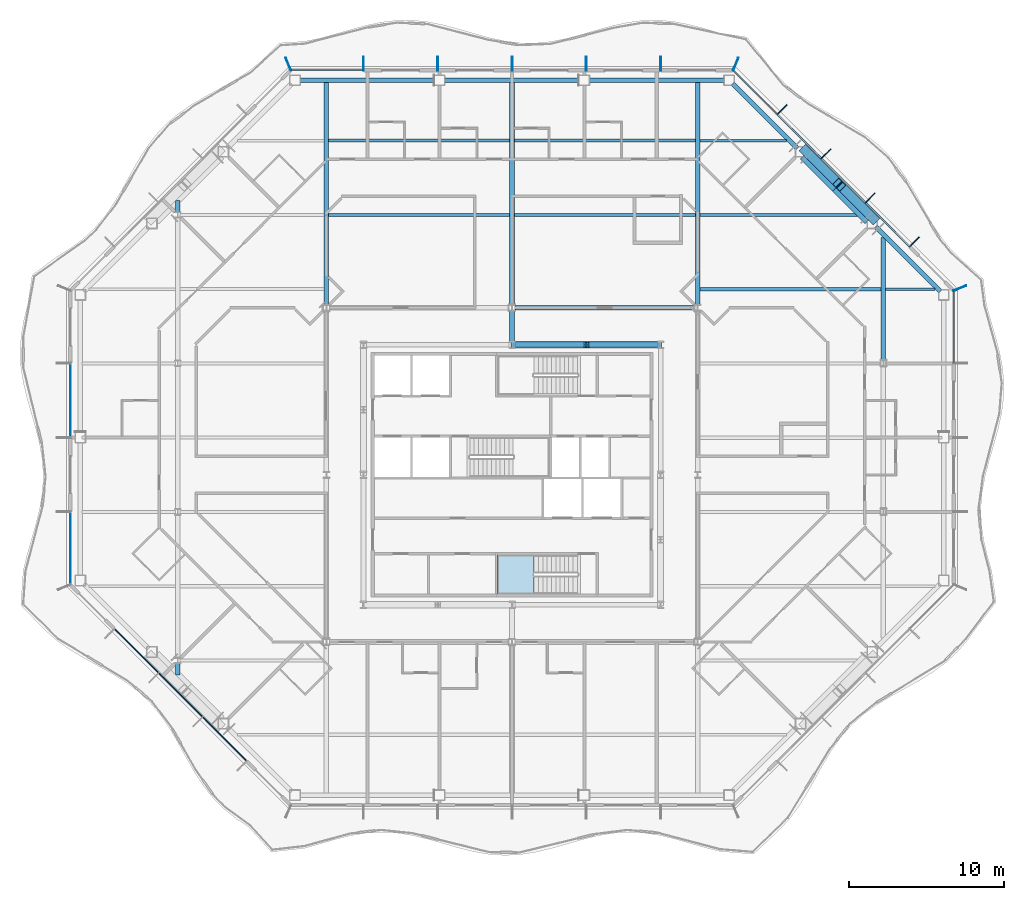
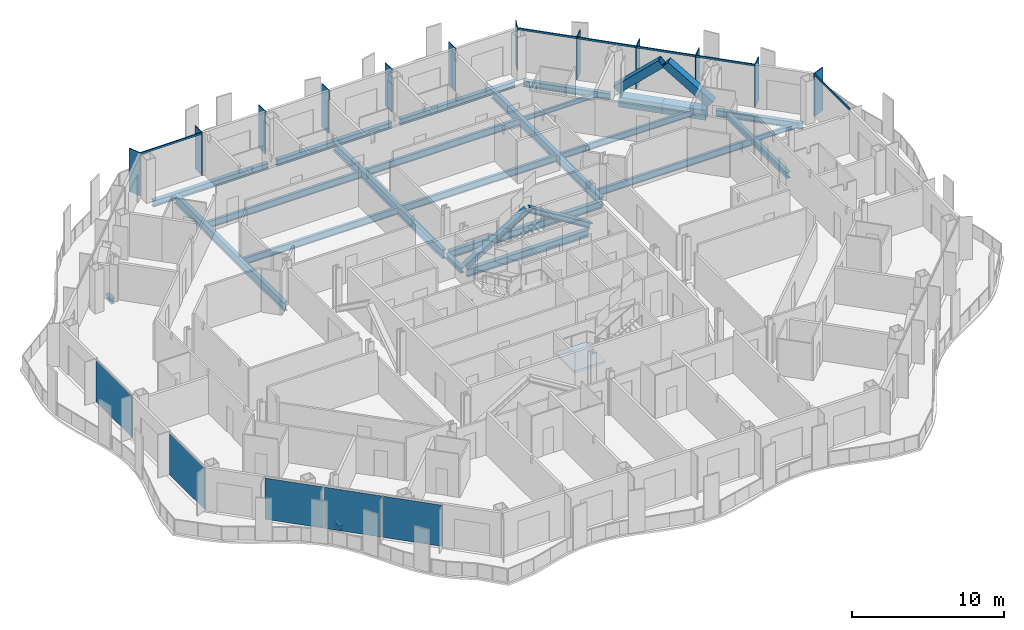
# One storey, part 5 of 21: 24 beams, 22 members, 5 plates, 1 slab, 7 elements without a shape of their own.
"""IFC4 building model written with IfcOpenShell, lengths in metres."""

from ifc_helpers import new_model, si_unit, direction, frame, origin, origin_2d, place, context, subcontext, project, spatial, polyline, rectangle, hollow_rectangle, i_section, outline, extrude, material, layer, layer_set, material_profile, profile_set, type_object, element, aggregate, save


model = new_model("IFC4")

# Units and contexts
model_context = context("Model", 3, precision=1e-05, world=origin(), true_north=direction((0.0, 1.0)))
body_context = subcontext(model_context, "Body", "Model", "MODEL_VIEW")
ifc_project = project(units=[si_unit("LENGTHUNIT", "METRE"), si_unit("AREAUNIT", "SQUARE_METRE"), si_unit("VOLUMEUNIT", "CUBIC_METRE"), si_unit("PLANEANGLEUNIT", "RADIAN"), si_unit("MASSUNIT", "GRAM", prefix="KILO")], contexts=[model_context])

# Site, building, storey
site_placement = place(None, origin())
site = spatial("IfcSite", under=ifc_project, at=site_placement, CompositionType="ELEMENT")
building_placement = place(site_placement, origin())
building = spatial("IfcBuilding", under=site, at=building_placement, Name="Cairn Pilgrim Tower", CompositionType="ELEMENT")
storey_placement = place(building_placement, frame((0.0, 0.0, 143.39990234375)))
storey = spatial("IfcBuildingStorey", under=building, at=storey_placement, Name="L35", CompositionType="ELEMENT", Elevation=143.39990234375)

# Members
ifc_material_1 = material(Name="Structural steel S460M", Category="steel")
ifc_material_profile_1 = material_profile(ifc_material_1, hollow_rectangle(XDim=0.60009765625, YDim=0.60009765625, WallThickness=0.034912109375, at=origin_2d()), Name="BOX 600x600x35")
ifc_profile_set_1 = profile_set([ifc_material_profile_1], Name="Structural steel S460M")
member_type_1 = type_object("IfcMemberType", Name="BOX 600x600x35 BRACE", PredefinedType="BRACE", material=ifc_profile_set_1)
for number, where, z_axis, x_axis, name in (
    (1, (30.613525390625, 18.888427734375, 0.150146484375), (-0.535551349337, 0.535551349337, 0.652969757681), (-0.707106781187, -0.707106781187, 0.0), "XB-NE2-NE3-1"),
    (2, (26.08837890625, 23.41357421875, 0.150146484375), (0.535594490476, -0.535533998665, 0.652948602913), (0.707066846316, 0.707146713802, 0.0), "XB-NE2-NE3-2"),
):
    element("IfcMember", number, at=place(storey_placement, frame(where, z_axis=z_axis, x_axis=x_axis)), inside=storey, type_object=member_type_1, Name=name, PredefinedType="BRACE", context=body_context, shape_type="SweptSolid", body=[
        extrude(hollow_rectangle(XDim=0.60009765625, YDim=0.60009765625, WallThickness=0.034912109375, at=origin_2d()), origin(), (0.0, 0.0, 1.0), 4.035888671875),
    ])

# Beams
ifc_material_2 = material(Name="Structural steel S355J2", Category="steel")
ifc_material_profile_2 = material_profile(ifc_material_2, hollow_rectangle(XDim=0.699951171875, YDim=0.800048828125, WallThickness=0.0400390625, at=origin_2d()), Name="BOX 700x800x40")
ifc_profile_set_2 = profile_set([ifc_material_profile_2], Name="Structural steel S355J2")
beam_type_1 = type_object("IfcBeamType", Name="BOX 700x800x40 RING GIRDER", PredefinedType="SPANDREL", material=ifc_profile_set_2)
for number, where, z_axis, x_axis, name in (
    (3, (30.2529296875, 18.874267578125, -0.5498046875), (-0.707106781187, 0.707106781187, 0.0), (-0.707106781187, -0.707106781187, 0.0), "RG2-NE2-NE3-1"),
    (4, (28.16357421875, 20.963623046875, -0.5498046875), (-0.707106781187, 0.707106781187, 0.0), (-0.707106781187, -0.707106781187, 0.0), "RG2-NE2-NE3-2"),
):
    element("IfcBeam", number, at=place(storey_placement, frame(where, z_axis=z_axis, x_axis=x_axis)), inside=storey, type_object=beam_type_1, Name=name, PredefinedType="SPANDREL", context=body_context, shape_type="SweptSolid", body=[
        extrude(hollow_rectangle(XDim=0.699951171875, YDim=0.800048828125, WallThickness=0.0400390625, at=origin_2d()), origin(), (0.0, 0.0, 1.0), 2.954833984375),
    ])

# Curtain wall, members
ifc_material_3 = material(Name="Aluminium alloy 6063-T6 bronze anodised with Bronze tinted laminated low-E glass 8+16+8.8", Category="aluminium")
curtain_wall_type_1 = type_object("IfcCurtainWallType", Name="CHAMFER CORNER CURTAIN WALL", PredefinedType="NOTDEFINED", material=ifc_material_3)
curtain_wall_1_placement = place(storey_placement, origin())
curtain_wall_1 = element("IfcCurtainWall", 5, at=curtain_wall_1_placement, inside=storey, type_object=curtain_wall_type_1, Name="Chamfer Corner Curtain Wall NE", PredefinedType="NOTDEFINED")
ifc_material_4 = material(Name="Aluminium alloy 6063-T6 bronze anodised", Category="aluminium")
ifc_material_profile_3 = material_profile(ifc_material_4, rectangle(XDim=0.89990234375, YDim=0.06005859375, at=origin_2d()), Name="FIN MULLION 60x900 BRONZE")
ifc_profile_set_3 = profile_set([ifc_material_profile_3], Name="Aluminium alloy 6063-T6 bronze anodised")
member_type_2 = type_object("IfcMemberType", Name="FIN MULLION 60x900 BRONZE", PredefinedType="MULLION", material=ifc_profile_set_3)
member_1_placement = place(storey_placement, frame((36.137939453125, 14.457275390625, 0.0), z_axis=(0.0, 0.0, 1.0), x_axis=(0.923879532511, 0.382683432365, 0.0)))
member_1 = element("IfcMember", 6, at=member_1_placement, type_object=member_type_2, Name="Fin mullion NE1", PredefinedType="MULLION", context=body_context, shape_type="SweptSolid", body=[
    extrude(rectangle(XDim=0.89990234375, YDim=0.06005859375, at=origin_2d()), origin(), (0.0, 0.0, 1.0), 3.4501953125),
])
member_2_placement = place(storey_placement, frame((33.1962890625, 17.444091796875, 0.0), z_axis=(0.0, 0.0, 1.0), x_axis=(0.707106781187, 0.707106781187, 0.0)))
member_2 = element("IfcMember", 7, at=member_2_placement, type_object=member_type_2, Name="Fin mullion NE2", PredefinedType="MULLION", context=body_context, shape_type="SweptSolid", body=[
    extrude(rectangle(XDim=0.89990234375, YDim=0.06005859375, at=origin_2d()), origin(), (0.0, 0.0, 1.0), 3.4501953125),
])
member_3_placement = place(storey_placement, frame((30.345458984375, 20.294921875, 0.0), z_axis=(0.0, 0.0, 1.0), x_axis=(0.707106781187, 0.707106781187, 0.0)))
member_3 = element("IfcMember", 8, at=member_3_placement, type_object=member_type_2, Name="Fin mullion NE3", PredefinedType="MULLION", context=body_context, shape_type="SweptSolid", body=[
    extrude(rectangle(XDim=0.89990234375, YDim=0.06005859375, at=origin_2d()), origin(), (0.0, 0.0, 1.0), 3.4501953125),
])
member_4_placement = place(storey_placement, frame((27.494873046875, 23.1455078125, 0.0), z_axis=(0.0, 0.0, 1.0), x_axis=(0.707106781187, 0.707106781187, 0.0)))
member_4 = element("IfcMember", 9, at=member_4_placement, type_object=member_type_2, Name="Fin mullion NE4", PredefinedType="MULLION", context=body_context, shape_type="SweptSolid", body=[
    extrude(rectangle(XDim=0.89990234375, YDim=0.06005859375, at=origin_2d()), origin(), (0.0, 0.0, 1.0), 3.4501953125),
])
member_5_placement = place(storey_placement, frame((24.64404296875, 25.996337890625, 0.0), z_axis=(0.0, 0.0, 1.0), x_axis=(0.707106781187, 0.707106781187, 0.0)))
member_5 = element("IfcMember", 10, at=member_5_placement, type_object=member_type_2, Name="Fin mullion NE5", PredefinedType="MULLION", context=body_context, shape_type="SweptSolid", body=[
    extrude(rectangle(XDim=0.89990234375, YDim=0.06005859375, at=origin_2d()), origin(), (0.0, 0.0, 1.0), 3.4501953125),
])

curtain_wall_type_2 = type_object("IfcCurtainWallType", Name="TOWER STICK CURTAIN WALL NS", PredefinedType="NOTDEFINED", material=ifc_material_3)
curtain_wall_2_placement = place(storey_placement, origin())
curtain_wall_2 = element("IfcCurtainWall", 11, at=curtain_wall_2_placement, inside=storey, type_object=curtain_wall_type_2, Name="Tower Stick Curtain Wall Ns N", PredefinedType="NOTDEFINED")
member_6_placement = place(storey_placement, frame((21.6572265625, 28.93798828125, 0.0), z_axis=(0.0, 0.0, 1.0), x_axis=(0.382683432365, 0.923879532511, 0.0)))
member_6 = element("IfcMember", 12, at=member_6_placement, type_object=member_type_2, Name="Fin mullion N1", PredefinedType="MULLION", context=body_context, shape_type="SweptSolid", body=[
    extrude(rectangle(XDim=0.89990234375, YDim=0.06005859375, at=origin_2d()), origin(), (0.0, 0.0, 1.0), 3.4501953125),
])
member_7_placement = place(storey_placement, frame((16.800048828125, 28.969970703125, 0.0), z_axis=(0.0, 0.0, 1.0), x_axis=(0.0, 1.0, 0.0)))
member_7 = element("IfcMember", 13, at=member_7_placement, type_object=member_type_2, Name="Fin mullion N2", PredefinedType="MULLION", context=body_context, shape_type="SweptSolid", body=[
    extrude(rectangle(XDim=0.89990234375, YDim=0.06005859375, at=origin_2d()), origin(), (0.0, 0.0, 1.0), 3.4501953125),
])
member_8_placement = place(storey_placement, frame((12.0, 28.969970703125, 0.0), z_axis=(0.0, 0.0, 1.0), x_axis=(0.0, 1.0, 0.0)))
member_8 = element("IfcMember", 14, at=member_8_placement, type_object=member_type_2, Name="Fin mullion N3", PredefinedType="MULLION", context=body_context, shape_type="SweptSolid", body=[
    extrude(rectangle(XDim=0.89990234375, YDim=0.06005859375, at=origin_2d()), origin(), (0.0, 0.0, 1.0), 3.4501953125),
])
member_9_placement = place(storey_placement, frame((7.199951171875, 28.969970703125, 0.0), z_axis=(0.0, 0.0, 1.0), x_axis=(0.0, 1.0, 0.0)))
member_9 = element("IfcMember", 15, at=member_9_placement, type_object=member_type_2, Name="Fin mullion N4", PredefinedType="MULLION", context=body_context, shape_type="SweptSolid", body=[
    extrude(rectangle(XDim=0.89990234375, YDim=0.06005859375, at=origin_2d()), origin(), (0.0, 0.0, 1.0), 3.4501953125),
])
member_10_placement = place(storey_placement, frame((2.39990234375, 28.969970703125, 0.0), z_axis=(0.0, 0.0, 1.0), x_axis=(0.0, 1.0, 0.0)))
member_10 = element("IfcMember", 16, at=member_10_placement, type_object=member_type_2, Name="Fin mullion N5", PredefinedType="MULLION", context=body_context, shape_type="SweptSolid", body=[
    extrude(rectangle(XDim=0.89990234375, YDim=0.06005859375, at=origin_2d()), origin(), (0.0, 0.0, 1.0), 3.4501953125),
])
member_11_placement = place(storey_placement, frame((-2.39990234375, 28.969970703125, 0.0), z_axis=(0.0, 0.0, 1.0), x_axis=(0.0, 1.0, 0.0)))
member_11 = element("IfcMember", 17, at=member_11_placement, type_object=member_type_2, Name="Fin mullion N6", PredefinedType="MULLION", context=body_context, shape_type="SweptSolid", body=[
    extrude(rectangle(XDim=0.89990234375, YDim=0.06005859375, at=origin_2d()), origin(), (0.0, 0.0, 1.0), 3.4501953125),
])

# Curtain wall, member
curtain_wall_3_placement = place(storey_placement, origin())
curtain_wall_3 = element("IfcCurtainWall", 18, at=curtain_wall_3_placement, inside=storey, type_object=curtain_wall_type_1, Name="Chamfer Corner Curtain Wall NW", PredefinedType="NOTDEFINED")
member_12_placement = place(storey_placement, frame((-7.257080078125, 28.93798828125, 0.0), z_axis=(0.0, 0.0, 1.0), x_axis=(-0.382683432365, 0.923879532511, 0.0)))
member_12 = element("IfcMember", 19, at=member_12_placement, type_object=member_type_2, Name="Fin mullion NW1", PredefinedType="MULLION", context=body_context, shape_type="SweptSolid", body=[
    extrude(rectangle(XDim=0.89990234375, YDim=0.06005859375, at=origin_2d()), origin(), (0.0, 0.0, 1.0), 3.4501953125),
])
aggregate(curtain_wall_3, [member_12])

# Members
ifc_material_profile_4 = material_profile(ifc_material_1, i_section(OverallWidth=0.408935546875, OverallDepth=0.425048828125, WebThickness=0.03271484375, FlangeThickness=0.052490234375, FilletRadius=0.014892578125, at=origin_2d()), Name="HD 400x421")
ifc_profile_set_4 = profile_set([ifc_material_profile_4], Name="Structural steel S460M")
member_type_3 = type_object("IfcMemberType", Name="HD 400x421 BRACE", PredefinedType="BRACE", material=ifc_profile_set_4)
for number, where, z_axis, x_axis, name in (
    (20, (16.757568359375, 10.800048828125, 0.10009765625), (-0.851063308605, 0.0, 0.525063086444), (0.0, -1.0, 0.0), "KB-3A"),
    (21, (7.242431640625, 10.800048828125, 0.10009765625), (0.851063308605, 0.0, 0.525063086444), (0.0, 1.0, 0.0), "KB-3B"),
):
    element("IfcMember", number, at=place(storey_placement, frame(where, z_axis=z_axis, x_axis=x_axis)), inside=storey, type_object=member_type_3, Name=name, PredefinedType="BRACE", context=body_context, shape_type="SweptSolid", body=[
        extrude(i_section(OverallWidth=0.408935546875, OverallDepth=0.425048828125, WebThickness=0.03271484375, FlangeThickness=0.052490234375, FilletRadius=0.014892578125, at=origin_2d()), origin(), (0.0, 0.0, 1.0), 5.527587890625),
    ])

# Beams
ifc_material_profile_5 = material_profile(ifc_material_2, i_section(OverallWidth=0.300048828125, OverallDepth=0.39990234375, WebThickness=0.013427734375, FlangeThickness=0.02392578125, FilletRadius=0.027099609375, at=origin_2d()), Name="HEB 400")
ifc_profile_set_5 = profile_set([ifc_material_profile_5], Name="Structural steel S355J2")
beam_type_2 = type_object("IfcBeamType", Name="HEB 400 GIRDER", PredefinedType="BEAM", material=ifc_profile_set_5)
for number, where, z_axis, x_axis, name in (
    (22, (-14.39990234375, -10.545166015625, -0.349853515625), (0.0, 1.0, 0.0), (-1.0, 0.0, 0.0), "PG1-E1"),
    (23, (-14.39990234375, 19.3994140625, -0.349853515625), (0.0, 1.0, 0.0), (-1.0, 0.0, 0.0), "PG1-E2"),
):
    element("IfcBeam", number, at=place(storey_placement, frame(where, z_axis=z_axis, x_axis=x_axis)), inside=storey, type_object=beam_type_2, Name=name, PredefinedType="BEAM", context=body_context, shape_type="SweptSolid", body=[
        extrude(i_section(OverallWidth=0.300048828125, OverallDepth=0.39990234375, WebThickness=0.013427734375, FlangeThickness=0.02392578125, FilletRadius=0.027099609375, at=origin_2d()), origin(), (0.0, 0.0, 1.0), 0.74560546875),
    ])
beam_1_placement = place(storey_placement, frame((7.199951171875, 11.011962890625, -0.349853515625), z_axis=(0.0, 1.0, 0.0), x_axis=(-1.0, 0.0, 0.0)))
element("IfcBeam", 24, at=beam_1_placement, inside=storey, type_object=beam_type_2, Name="PG3-E2", PredefinedType="BEAM", context=body_context, shape_type="SweptSolid", body=[
    extrude(i_section(OverallWidth=0.300048828125, OverallDepth=0.39990234375, WebThickness=0.013427734375, FlangeThickness=0.02392578125, FilletRadius=0.027099609375, at=origin_2d()), origin(), (0.0, 0.0, 1.0), 1.983642578125),
])
ifc_material_profile_6 = material_profile(ifc_material_2, i_section(OverallWidth=0.300048828125, OverallDepth=0.5, WebThickness=0.014404296875, FlangeThickness=0.028076171875, FilletRadius=0.027099609375, at=origin_2d()), Name="HEB 500")
ifc_profile_set_6 = profile_set([ifc_material_profile_6], Name="Structural steel S355J2")
beam_type_3 = type_object("IfcBeamType", Name="HEB 500 GIRDER", PredefinedType="BEAM", material=ifc_profile_set_6)
beam_2_placement = place(storey_placement, frame((31.199951171875, 9.804443359375, -0.39990234375), z_axis=(0.0, 1.0, 0.0), x_axis=(-1.0, 0.0, 0.0)))
element("IfcBeam", 25, at=beam_2_placement, inside=storey, type_object=beam_type_3, Name="PG5-3", PredefinedType="BEAM", context=body_context, shape_type="SweptSolid", body=[
    extrude(i_section(OverallWidth=0.300048828125, OverallDepth=0.5, WebThickness=0.014404296875, FlangeThickness=0.028076171875, FilletRadius=0.027099609375, at=origin_2d()), origin(), (0.0, 0.0, 1.0), 7.940673828125),
])
ifc_material_profile_7 = material_profile(ifc_material_2, i_section(OverallWidth=0.300048828125, OverallDepth=0.5, WebThickness=0.014404296875, FlangeThickness=0.028076171875, FilletRadius=0.027099609375, at=origin_2d()), Name="HEB 500")
ifc_profile_set_7 = profile_set([ifc_material_profile_7], Name="Structural steel S355J2")
beam_type_4 = type_object("IfcBeamType", Name="HEB 500 RING GIRDER", PredefinedType="SPANDREL", material=ifc_profile_set_7)
for number, where, z_axis, x_axis, name in (
    (26, (34.877197265625, 14.25, -0.39990234375), (-0.707106781187, 0.707106781187, 0.0), (-0.707106781187, -0.707106781187, 0.0), "RG2-NE1-NE2"),
    (27, (25.628662109375, 23.49853515625, -0.39990234375), (-0.707106781187, 0.707106781187, 0.0), (-0.707106781187, -0.707106781187, 0.0), "RG2-NE3-N1"),
):
    element("IfcBeam", number, at=place(storey_placement, frame(where, z_axis=z_axis, x_axis=x_axis)), inside=storey, type_object=beam_type_4, Name=name, PredefinedType="SPANDREL", context=body_context, shape_type="SweptSolid", body=[
        extrude(i_section(OverallWidth=0.300048828125, OverallDepth=0.5, WebThickness=0.014404296875, FlangeThickness=0.028076171875, FilletRadius=0.027099609375, at=origin_2d()), origin(), (0.0, 0.0, 1.0), 5.90966796875),
    ])
for number, where, z_axis, x_axis, name in (
    (28, (20.912109375, 27.89990234375, -0.39990234375), (-1.0, 0.0, 0.0), (0.0, -1.0, 0.0), "RG2-N1-N2"),
    (29, (11.560791015625, 27.89990234375, -0.39990234375), (-1.0, 0.0, 0.0), (0.0, -1.0, 0.0), "RG2-N2-N3"),
    (30, (2.209228515625, 27.89990234375, -0.39990234375), (-1.0, 0.0, 0.0), (0.0, -1.0, 0.0), "RG2-N3-NW1"),
):
    element("IfcBeam", number, at=place(storey_placement, frame(where, z_axis=z_axis, x_axis=x_axis)), inside=storey, type_object=beam_type_4, Name=name, PredefinedType="SPANDREL", context=body_context, shape_type="SweptSolid", body=[
        extrude(i_section(OverallWidth=0.300048828125, OverallDepth=0.5, WebThickness=0.014404296875, FlangeThickness=0.028076171875, FilletRadius=0.027099609375, at=origin_2d()), origin(), (0.0, 0.0, 1.0), 8.721435546875),
    ])
ifc_material_profile_8 = material_profile(ifc_material_2, i_section(OverallWidth=0.300048828125, OverallDepth=0.60009765625, WebThickness=0.015380859375, FlangeThickness=0.030029296875, FilletRadius=0.027099609375, at=origin_2d()), Name="HEB 600")
ifc_profile_set_8 = profile_set([ifc_material_profile_8], Name="Structural steel S355J2")
beam_type_5 = type_object("IfcBeamType", Name="HEB 600 CORE BEAM", PredefinedType="BEAM", material=ifc_profile_set_8)
beam_3_placement = place(storey_placement, frame((16.609130859375, 10.800048828125, -0.449951171875), z_axis=(-1.0, 0.0, 0.0), x_axis=(0.0, -1.0, 0.0)))
element("IfcBeam", 31, at=beam_3_placement, inside=storey, type_object=beam_type_5, Name="CB-5", PredefinedType="BEAM", context=body_context, shape_type="SweptSolid", body=[
    extrude(i_section(OverallWidth=0.300048828125, OverallDepth=0.60009765625, WebThickness=0.015380859375, FlangeThickness=0.030029296875, FilletRadius=0.027099609375, at=origin_2d()), origin(), (0.0, 0.0, 1.0), 9.21826171875),
])
ifc_material_profile_9 = material_profile(ifc_material_2, i_section(OverallWidth=0.300048828125, OverallDepth=0.60009765625, WebThickness=0.015380859375, FlangeThickness=0.030029296875, FilletRadius=0.027099609375, at=origin_2d()), Name="HEB 600")
ifc_profile_set_9 = profile_set([ifc_material_profile_9], Name="Structural steel S355J2")
beam_type_6 = type_object("IfcBeamType", Name="HEB 600 INNER GIRDER", PredefinedType="BEAM", material=ifc_profile_set_9)
beam_4_placement = place(storey_placement, frame((7.404541015625, 13.199951171875, -0.449951171875), z_axis=(1.0, 0.0, 0.0), x_axis=(0.0, 1.0, 0.0)))
element("IfcBeam", 32, at=beam_4_placement, inside=storey, type_object=beam_type_6, Name="IG2-2", PredefinedType="BEAM", context=body_context, shape_type="SweptSolid", body=[
    extrude(i_section(OverallWidth=0.300048828125, OverallDepth=0.60009765625, WebThickness=0.015380859375, FlangeThickness=0.030029296875, FilletRadius=0.027099609375, at=origin_2d()), origin(), (0.0, 0.0, 1.0), 11.591064453125),
])
ifc_material_profile_10 = material_profile(ifc_material_2, i_section(OverallWidth=0.300048828125, OverallDepth=0.699951171875, WebThickness=0.01708984375, FlangeThickness=0.031982421875, FilletRadius=0.027099609375, at=origin_2d()), Name="HEB 700")
ifc_profile_set_10 = profile_set([ifc_material_profile_10], Name="Structural steel S355J2")
beam_type_7 = type_object("IfcBeamType", Name="HEB 700 GIRDER", PredefinedType="BEAM", material=ifc_profile_set_10)
for number, where, z_axis, x_axis, name in (
    (33, (-4.800048828125, 13.404541015625, -0.5), (0.0, 1.0, 0.0), (-1.0, 0.0, 0.0), "PG2-4"),
    (34, (7.199951171875, 13.404541015625, -0.5), (0.0, 1.0, 0.0), (-1.0, 0.0, 0.0), "PG3-2"),
    (35, (19.199951171875, 13.404541015625, -0.5), (0.0, 1.0, 0.0), (-1.0, 0.0, 0.0), "PG4-4"),
):
    element("IfcBeam", number, at=place(storey_placement, frame(where, z_axis=z_axis, x_axis=x_axis)), inside=storey, type_object=beam_type_7, Name=name, PredefinedType="BEAM", context=body_context, shape_type="SweptSolid", body=[
        extrude(i_section(OverallWidth=0.300048828125, OverallDepth=0.699951171875, WebThickness=0.01708984375, FlangeThickness=0.031982421875, FilletRadius=0.027099609375, at=origin_2d()), origin(), (0.0, 0.0, 1.0), 14.37548828125),
    ])
ifc_material_profile_11 = material_profile(ifc_material_2, i_section(OverallWidth=0.169921875, OverallDepth=0.360107421875, WebThickness=0.008056640625, FlangeThickness=0.0126953125, FilletRadius=0.01806640625, at=origin_2d()), Name="IPE 360")
ifc_profile_set_11 = profile_set([ifc_material_profile_11], Name="Structural steel S355J2")
beam_type_8 = type_object("IfcBeamType", Name="IPE 360 SECONDARY BEAM", PredefinedType="JOIST", material=ifc_profile_set_11)
beam_5_placement = place(storey_placement, frame((31.35009765625, 14.39990234375, -0.329833984375), z_axis=(1.0, 0.0, 0.0), x_axis=(0.0, 1.0, 0.0)))
element("IfcBeam", 36, at=beam_5_placement, inside=storey, type_object=beam_type_8, Name="SB7-4", PredefinedType="JOIST", context=body_context, shape_type="SweptSolid", body=[
    extrude(i_section(OverallWidth=0.169921875, OverallDepth=0.360107421875, WebThickness=0.008056640625, FlangeThickness=0.0126953125, FilletRadius=0.01806640625, at=origin_2d()), origin(), (0.0, 0.0, 1.0), 3.195068359375),
])
beam_6_placement = place(storey_placement, frame((19.35009765625, 24.0, -0.329833984375), z_axis=(1.0, 0.0, 0.0), x_axis=(0.0, 1.0, 0.0)))
element("IfcBeam", 37, at=beam_6_placement, inside=storey, type_object=beam_type_8, Name="SB9-4", PredefinedType="JOIST", context=body_context, shape_type="SweptSolid", body=[
    extrude(i_section(OverallWidth=0.169921875, OverallDepth=0.360107421875, WebThickness=0.008056640625, FlangeThickness=0.0126953125, FilletRadius=0.01806640625, at=origin_2d()), origin(), (0.0, 0.0, 1.0), 5.594970703125),
])
ifc_material_profile_12 = material_profile(ifc_material_2, i_section(OverallWidth=0.199951171875, OverallDepth=0.5, WebThickness=0.01025390625, FlangeThickness=0.01611328125, FilletRadius=0.02099609375, at=origin_2d()), Name="IPE 500")
ifc_profile_set_12 = profile_set([ifc_material_profile_12], Name="Structural steel S355J2")
beam_type_9 = type_object("IfcBeamType", Name="IPE 500 SECONDARY BEAM", PredefinedType="JOIST", material=ifc_profile_set_12)
beam_7_placement = place(storey_placement, frame((19.35009765625, 19.199951171875, -0.39990234375), z_axis=(1.0, 0.0, 0.0), x_axis=(0.0, 1.0, 0.0)))
element("IfcBeam", 38, at=beam_7_placement, inside=storey, type_object=beam_type_9, Name="SB8-4", PredefinedType="JOIST", context=body_context, shape_type="SweptSolid", body=[
    extrude(i_section(OverallWidth=0.199951171875, OverallDepth=0.5, WebThickness=0.01025390625, FlangeThickness=0.01611328125, FilletRadius=0.02099609375, at=origin_2d()), origin(), (0.0, 0.0, 1.0), 10.39501953125),
])
ifc_material_profile_13 = material_profile(ifc_material_2, i_section(OverallWidth=0.2099609375, OverallDepth=0.550048828125, WebThickness=0.010986328125, FlangeThickness=0.01708984375, FilletRadius=0.02392578125, at=origin_2d()), Name="IPE 550")
ifc_profile_set_13 = profile_set([ifc_material_profile_13], Name="Structural steel S355J2")
beam_type_10 = type_object("IfcBeamType", Name="IPE 550 SECONDARY BEAM", PredefinedType="JOIST", material=ifc_profile_set_13)
for number, where, z_axis, x_axis, name in (
    (39, (19.35009765625, 14.39990234375, -0.4248046875), (1.0, 0.0, 0.0), (0.0, 1.0, 0.0), "SB7-3"),
    (40, (-4.64990234375, 19.199951171875, -0.4248046875), (1.0, 0.0, 0.0), (0.0, 1.0, 0.0), "SB8-2"),
    (41, (7.35009765625, 19.199951171875, -0.4248046875), (1.0, 0.0, 0.0), (0.0, 1.0, 0.0), "SB8-3"),
    (42, (-4.64990234375, 24.0, -0.4248046875), (1.0, 0.0, 0.0), (0.0, 1.0, 0.0), "SB9-2"),
    (43, (7.35009765625, 24.0, -0.4248046875), (1.0, 0.0, 0.0), (0.0, 1.0, 0.0), "SB9-3"),
):
    element("IfcBeam", number, at=place(storey_placement, frame(where, z_axis=z_axis, x_axis=x_axis)), inside=storey, type_object=beam_type_10, Name=name, PredefinedType="JOIST", context=body_context, shape_type="SweptSolid", body=[
        extrude(i_section(OverallWidth=0.2099609375, OverallDepth=0.550048828125, WebThickness=0.010986328125, FlangeThickness=0.01708984375, FilletRadius=0.02392578125, at=origin_2d()), origin(), (0.0, 0.0, 1.0), 11.699951171875),
    ])

# Curtain wall, member
curtain_wall_type_3 = type_object("IfcCurtainWallType", Name="TOWER STICK CURTAIN WALL EW", PredefinedType="NOTDEFINED", material=ifc_material_3)
curtain_wall_4_placement = place(storey_placement, origin())
curtain_wall_4 = element("IfcCurtainWall", 44, at=curtain_wall_4_placement, inside=storey, type_object=curtain_wall_type_3, Name="Tower Stick Curtain Wall Ew E", PredefinedType="NOTDEFINED")
ifc_material_profile_14 = material_profile(ifc_material_4, rectangle(XDim=0.080078125, YDim=0.14990234375, at=origin_2d()), Name="TRANSOM 80x150 BRONZE")
ifc_profile_set_14 = profile_set([ifc_material_profile_14], Name="Aluminium alloy 6063-T6 bronze anodised")
member_type_4 = type_object("IfcMemberType", Name="TRANSOM 80x150 BRONZE", PredefinedType="USERDEFINED", material=ifc_profile_set_14)
member_13_placement = place(storey_placement, frame((35.75, 9.6298828125, 3.375), z_axis=(0.0, 1.0, 0.0), x_axis=(-1.0, 0.0, 0.0)))
member_13 = element("IfcMember", 45, at=member_13_placement, type_object=member_type_4, Name="Transom E4", ObjectType="TRANSOM", PredefinedType="USERDEFINED", context=body_context, shape_type="SweptSolid", body=[
    extrude(rectangle(XDim=0.080078125, YDim=0.14990234375, at=origin_2d()), origin(), (0.0, 0.0, 1.0), 4.62646484375),
])
aggregate(curtain_wall_4, [member_13])

# Member
member_14_placement = place(storey_placement, frame((32.878173828125, 17.16845703125, 3.375), z_axis=(-0.70713751761, 0.707076043427, 0.0), x_axis=(-0.707076043427, -0.70713751761, 0.0)))
member_14 = element("IfcMember", 46, at=member_14_placement, type_object=member_type_4, Name="Transom NE2", ObjectType="TRANSOM", PredefinedType="USERDEFINED", context=body_context, shape_type="SweptSolid", body=[
    extrude(rectangle(XDim=0.080078125, YDim=0.14990234375, at=origin_2d()), origin(), (0.0, 0.0, 1.0), 3.971435546875),
])

member_15_placement = place(storey_placement, frame((30.02734375, 20.01904296875, 3.375), z_axis=(-0.707106781187, 0.707106781187, 0.0), x_axis=(-0.707106781187, -0.707106781187, 0.0)))
member_15 = element("IfcMember", 47, at=member_15_placement, type_object=member_type_4, Name="Transom NE3", ObjectType="TRANSOM", PredefinedType="USERDEFINED", context=body_context, shape_type="SweptSolid", body=[
    extrude(rectangle(XDim=0.080078125, YDim=0.14990234375, at=origin_2d()), origin(), (0.0, 0.0, 1.0), 3.9716796875),
])

member_16_placement = place(storey_placement, frame((27.1767578125, 22.869873046875, 3.375), z_axis=(-0.70713751761, 0.707076043427, 0.0), x_axis=(-0.707076043427, -0.70713751761, 0.0)))
member_16 = element("IfcMember", 48, at=member_16_placement, type_object=member_type_4, Name="Transom NE4", ObjectType="TRANSOM", PredefinedType="USERDEFINED", context=body_context, shape_type="SweptSolid", body=[
    extrude(rectangle(XDim=0.080078125, YDim=0.14990234375, at=origin_2d()), origin(), (0.0, 0.0, 1.0), 3.971435546875),
])

member_17_placement = place(storey_placement, frame((24.325927734375, 25.720458984375, 3.375), z_axis=(-0.707106781187, 0.707106781187, 0.0), x_axis=(-0.707106781187, -0.707106781187, 0.0)))
member_17 = element("IfcMember", 49, at=member_17_placement, type_object=member_type_4, Name="Transom NE5", ObjectType="TRANSOM", PredefinedType="USERDEFINED", context=body_context, shape_type="SweptSolid", body=[
    extrude(rectangle(XDim=0.080078125, YDim=0.14990234375, at=origin_2d()), origin(), (0.0, 0.0, 1.0), 3.961669921875),
])

aggregate(curtain_wall_1, [member_1, member_2, member_3, member_4, member_5, member_14, member_15, member_16, member_17])

member_18_placement = place(storey_placement, frame((-2.429931640625, 28.550048828125, 3.375), z_axis=(-1.0, 0.0, 0.0), x_axis=(0.0, -1.0, 0.0)))
member_18 = element("IfcMember", 50, at=member_18_placement, type_object=member_type_4, Name="Transom N6", ObjectType="TRANSOM", PredefinedType="USERDEFINED", context=body_context, shape_type="SweptSolid", body=[
    extrude(rectangle(XDim=0.080078125, YDim=0.14990234375, at=origin_2d()), origin(), (0.0, 0.0, 1.0), 4.62646484375),
])

aggregate(curtain_wall_2, [member_6, member_7, member_8, member_9, member_10, member_11, member_18])

# Curtain wall, plates
curtain_wall_5_placement = place(storey_placement, origin())
curtain_wall_5 = element("IfcCurtainWall", 51, at=curtain_wall_5_placement, inside=storey, type_object=curtain_wall_type_1, Name="Chamfer Corner Curtain Wall SW", PredefinedType="NOTDEFINED")
ifc_material_5 = material(Name="Bronze anodised aluminium spandrel panel with mineral wool insulation", Category="aluminium")
ifc_layer_1 = layer(ifc_material_5, 0.06005859375)
ifc_layer_set_1 = layer_set([ifc_layer_1], Name="SPANDREL PANEL 3972x3300")
plate_type_1 = type_object("IfcPlateType", Name="SPANDREL PANEL 3972x3300", PredefinedType="CURTAIN_PANEL", material=ifc_layer_set_1)
plate_1_placement = place(storey_placement, frame((-17.073974609375, -8.972412109375, 0.0), z_axis=(0.0, 0.0, 1.0), x_axis=(0.707106781187, -0.707106781187, 0.0)))
plate_1 = element("IfcPlate", 52, at=plate_1_placement, type_object=plate_type_1, Name="Spandrel Panel SW2-1", PredefinedType="CURTAIN_PANEL", context=body_context, shape_type="SweptSolid", body=[
    extrude(rectangle(XDim=3.971435546875, YDim=0.06005859375, at=origin_2d()), origin(), (0.0, 0.0, 1.0), 3.300048828125),
])
plate_2_placement = place(storey_placement, frame((-14.22314453125, -11.8232421875, 0.0), z_axis=(0.0, 0.0, 1.0), x_axis=(0.707106781187, -0.707106781187, 0.0)))
plate_2 = element("IfcPlate", 53, at=plate_2_placement, type_object=plate_type_1, Name="Spandrel Panel SW3-1", PredefinedType="CURTAIN_PANEL", context=body_context, shape_type="SweptSolid", body=[
    extrude(rectangle(XDim=3.971435546875, YDim=0.06005859375, at=origin_2d()), origin(), (0.0, 0.0, 1.0), 3.300048828125),
])
plate_3_placement = place(storey_placement, frame((-11.37255859375, -14.673828125, 0.0), z_axis=(0.0, 0.0, 1.0), x_axis=(0.707106781187, -0.707106781187, 0.0)))
plate_3 = element("IfcPlate", 54, at=plate_3_placement, type_object=plate_type_1, Name="Spandrel Panel SW4-1", PredefinedType="CURTAIN_PANEL", context=body_context, shape_type="SweptSolid", body=[
    extrude(rectangle(XDim=3.971435546875, YDim=0.06005859375, at=origin_2d()), origin(), (0.0, 0.0, 1.0), 3.300048828125),
])
aggregate(curtain_wall_5, [plate_1, plate_2, plate_3])

# Stair, slab
ifc_material_6 = material(Name="Concrete C32/40", Category="concrete")
stair_type = type_object("IfcStairType", Name="EXIT STAIR 1200", PredefinedType="HALF_TURN_STAIR", material=ifc_material_6)
stair_placement = place(storey_placement, origin())
stair = element("IfcStair", 55, at=stair_placement, inside=storey, type_object=stair_type, Name="L35 Exit Stair A", PredefinedType="HALF_TURN_STAIR")
ifc_layer_2 = layer(ifc_material_6, 0.199951171875)
ifc_layer_set_2 = layer_set([ifc_layer_2], Name="STAIR LANDING 200")
slab_type = type_object("IfcSlabType", Name="STAIR LANDING 200", PredefinedType="LANDING", material=ifc_layer_set_2)
slab_placement = place(storey_placement, frame((0.0, 0.0, 1.60009765625)))
slab = element("IfcSlab", 56, at=slab_placement, type_object=slab_type, Name="ST-A landing 1", PredefinedType="LANDING", context=body_context, shape_type="SweptSolid", body=[
    extrude(outline(polyline([(8.625, -2.77490234375), (6.27490234375, -2.77490234375), (6.27490234375, -5.300048828125), (8.625, -5.300048828125), (8.625, -2.77490234375)])), origin(), (0.0, 0.0, 1.0), 0.199951171875),
])
aggregate(stair, [slab])

# Curtain wall, plates
curtain_wall_6_placement = place(storey_placement, origin())
curtain_wall_6 = element("IfcCurtainWall", 57, at=curtain_wall_6_placement, inside=storey, type_object=curtain_wall_type_3, Name="Tower Stick Curtain Wall Ew W", PredefinedType="NOTDEFINED")
ifc_material_7 = material(Name="Bronze tinted laminated low-E glass 8+16+8.8", Category="glass")
ifc_layer_3 = layer(ifc_material_7, 0.033935546875)
ifc_layer_set_3 = layer_set([ifc_layer_3], Name="VISION GLAZING 4626x3300")
plate_type_2 = type_object("IfcPlateType", Name="VISION GLAZING 4626x3300", PredefinedType="CURTAIN_PANEL", material=ifc_layer_set_3)
plate_4_placement = place(storey_placement, frame((-21.35009765625, -2.34326171875, 0.0), z_axis=(0.0, 0.0, 1.0), x_axis=(0.0, -1.0, 0.0)))
plate_4 = element("IfcPlate", 58, at=plate_4_placement, type_object=plate_type_2, Name="Vision Glazing W4-1", PredefinedType="CURTAIN_PANEL", context=body_context, shape_type="SweptSolid", body=[
    extrude(rectangle(XDim=4.62646484375, YDim=0.033935546875, at=origin_2d()), origin(), (0.0, 0.0, 1.0), 3.300048828125),
])
ifc_layer_4 = layer(ifc_material_7, 0.033935546875)
ifc_layer_set_4 = layer_set([ifc_layer_4], Name="VISION GLAZING 4740x3300")
plate_type_3 = type_object("IfcPlateType", Name="VISION GLAZING 4740x3300", PredefinedType="CURTAIN_PANEL", material=ifc_layer_set_4)
plate_5_placement = place(storey_placement, frame((-21.35009765625, 7.199951171875, 0.0), z_axis=(0.0, 0.0, 1.0), x_axis=(0.0, -1.0, 0.0)))
plate_5 = element("IfcPlate", 59, at=plate_5_placement, type_object=plate_type_3, Name="Vision Glazing W2-1", PredefinedType="CURTAIN_PANEL", context=body_context, shape_type="SweptSolid", body=[
    extrude(rectangle(XDim=4.739990234375, YDim=0.033935546875, at=origin_2d()), origin(), (0.0, 0.0, 1.0), 3.300048828125),
])
aggregate(curtain_wall_6, [plate_5, plate_4])

save(model, "model.ifc")
